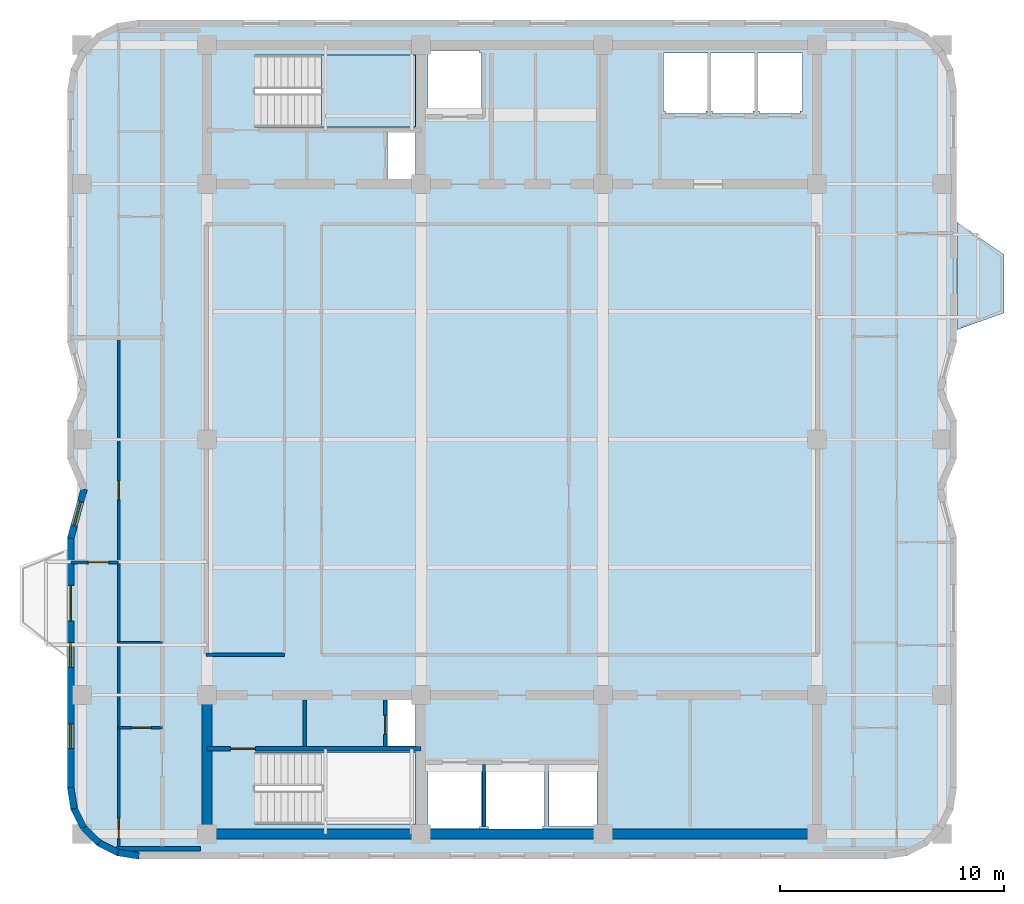
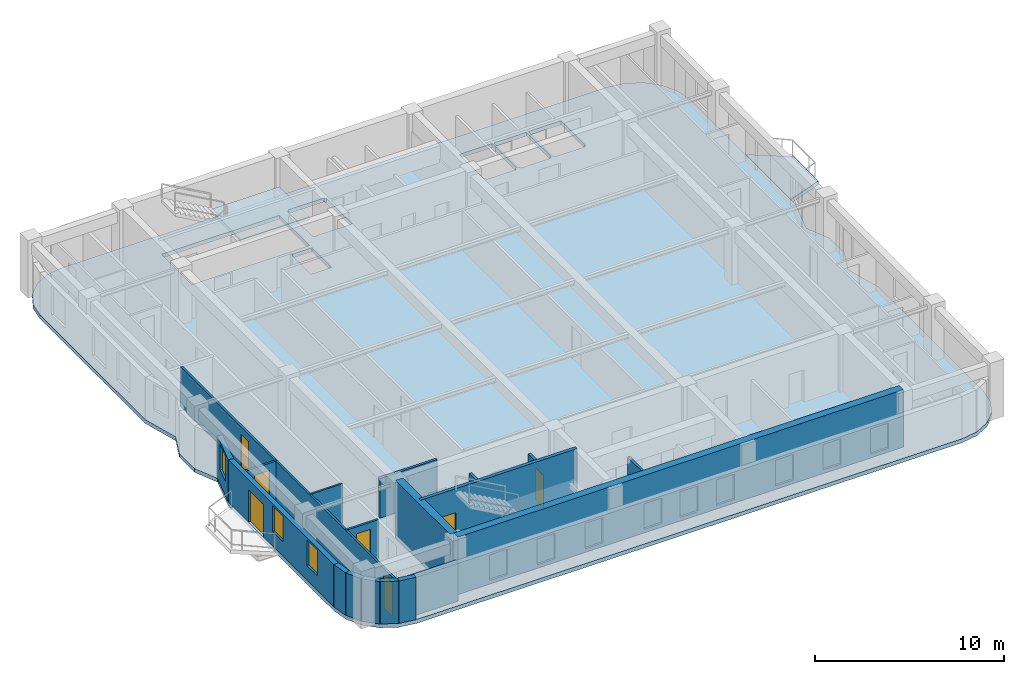
# One storey, part 2 of 8: 19 walls, 7 doors, 3 slabs, 3 windows, 10 openings, 1 element without a shape of its own.
"""IFC4 building model written with IfcOpenShell, lengths in metres."""

from ifc_helpers import new_model, si_unit, direction, frame, frame_2d, origin, place, context, subcontext, project, spatial, polyline, rectangle, outline, extrude, material, layer, layer_set, type_object, element, fill, aggregate, save


model = new_model("IFC4")

# Units and contexts
model_context = context("Model", 3, precision=1e-05, world=origin(), true_north=direction((0.0, 1.0)))
body_context = subcontext(model_context, "Body", "Model", "MODEL_VIEW")
ifc_project = project(units=[si_unit("LENGTHUNIT", "METRE"), si_unit("AREAUNIT", "SQUARE_METRE"), si_unit("VOLUMEUNIT", "CUBIC_METRE"), si_unit("PLANEANGLEUNIT", "RADIAN"), si_unit("MASSUNIT", "GRAM", prefix="KILO")], contexts=[model_context])

# Site, building, storey
site_placement = place(None, origin())
site = spatial("IfcSite", under=ifc_project, at=site_placement, CompositionType="ELEMENT")
building_placement = place(site_placement, origin())
building = spatial("IfcBuilding", under=site, at=building_placement, Name="Svetorya Sky Lyceum", CompositionType="ELEMENT")
storey_placement = place(building_placement, frame((0.0, 0.0, 251.699951171875)))
storey = spatial("IfcBuildingStorey", under=building, at=storey_placement, Name="L63", CompositionType="ELEMENT", Elevation=251.699951171875)

# Slab
ifc_material_1 = material(Name="Concrete C40/50", Category="concrete")
ifc_layer_1 = layer(ifc_material_1, 0.25)
ifc_layer_set_1 = layer_set([ifc_layer_1], Name="Concrete C40/50")
slab_type_1 = type_object("IfcSlabType", Name="SL-BAL-250", PredefinedType="FLOOR", material=ifc_layer_set_1)
slab_1_placement = place(storey_placement, frame((0.0, 0.0, -0.25)))
element("IfcSlab", 1, at=slab_1_placement, inside=storey, type_object=slab_type_1, Name="L63 Chamfered Loggia Balcony BAL-E1", PredefinedType="FLOOR", context=body_context, shape_type="SweptSolid", body=[
    extrude(outline(polyline([(59.050048828125, 33.10009765625), (61.14990234375, 33.85009765625), (61.14990234375, 36.449951171875), (59.050048828125, 37.89990234375), (59.050048828125, 33.10009765625)])), origin(), (0.0, 0.0, 1.0), 0.25),
])

# Stair, slab
stair_type = type_object("IfcStairType", Name="STR-ST-N", PredefinedType="HALF_TURN_STAIR", material=ifc_material_1)
stair_placement = place(storey_placement, origin())
stair = element("IfcStair", 2, at=stair_placement, inside=storey, type_object=stair_type, Name="L63 North Core Smoke-Free Exit Stair N3", PredefinedType="HALF_TURN_STAIR")
ifc_layer_2 = layer(ifc_material_1, 0.199951171875)
ifc_layer_set_2 = layer_set([ifc_layer_2], Name="Concrete C40/50")
slab_type_2 = type_object("IfcSlabType", Name="SL-STR-LAND-200", PredefinedType="LANDING", material=ifc_layer_set_2)
slab_2_placement = place(storey_placement, frame((0.0, 0.0, 1.650146484375)))
slab_2 = element("IfcSlab", 3, at=slab_2_placement, type_object=slab_type_2, Name="ST-N landing 1", PredefinedType="LANDING", context=body_context, shape_type="SweptSolid", body=[
    extrude(outline(polyline([(30.699951171875, 42.14990234375), (34.89990234375, 42.14990234375), (34.89990234375, 45.35009765625), (30.699951171875, 45.35009765625), (30.699951171875, 42.14990234375)])), origin(), (0.0, 0.0, 1.0), 0.199951171875),
])
aggregate(stair, [slab_2])

# Slab
ifc_layer_3 = layer(ifc_material_1, 0.25)
ifc_layer_set_3 = layer_set([ifc_layer_3], Name="Concrete C40/50")
slab_type_3 = type_object("IfcSlabType", Name="SL-TWR-250", PredefinedType="FLOOR", material=ifc_layer_set_3)
slab_3_placement = place(storey_placement, frame((0.0, 0.0, -0.25)))
element("IfcSlab", 4, at=slab_3_placement, inside=storey, type_object=slab_type_3, Name="L63 Structural Floor Slab", PredefinedType="FLOOR", context=body_context, shape_type="SweptSolid", body=[
    extrude(outline(polyline([(19.360107421875, 12.679931640625), (19.5166015625, 11.691162109375), (19.97119140625, 10.799072265625), (20.67919921875, 10.091064453125), (21.571044921875, 9.63671875), (22.56005859375, 9.47998046875), (55.840087890625, 9.47998046875), (56.828857421875, 9.63671875), (57.720947265625, 10.091064453125), (58.428955078125, 10.799072265625), (58.88330078125, 11.691162109375), (59.0400390625, 12.679931640625), (59.0400390625, 23.800048828125), (58.43994140625, 26.0), (59.0400390625, 27.39990234375), (59.0400390625, 29.0), (58.43994140625, 30.39990234375), (59.0400390625, 32.60009765625), (59.0400390625, 43.719970703125), (58.88330078125, 44.708984375), (58.428955078125, 45.600830078125), (57.720947265625, 46.308837890625), (56.828857421875, 46.763427734375), (55.840087890625, 46.919921875), (22.56005859375, 46.919921875), (21.571044921875, 46.763427734375), (20.67919921875, 46.308837890625), (19.97119140625, 45.600830078125), (19.5166015625, 44.708984375), (19.360107421875, 43.719970703125), (19.360107421875, 32.60009765625), (19.9599609375, 30.39990234375), (19.360107421875, 29.0), (19.360107421875, 27.39990234375), (19.9599609375, 26.0), (19.360107421875, 23.800048828125), (19.360107421875, 12.679931640625)]), holes=[polyline([(37.85009765625, 10.949951171875), (37.75, 10.949951171875), (37.75, 10.85009765625), (35.550048828125, 10.85009765625), (35.550048828125, 10.949951171875), (35.449951171875, 10.949951171875), (35.449951171875, 13.64990234375), (35.550048828125, 13.64990234375), (37.75, 13.64990234375), (37.85009765625, 13.64990234375), (37.85009765625, 10.949951171875)]), polyline([(38.14990234375, 10.800048828125), (38.14990234375, 10.949951171875), (38.050048828125, 10.949951171875), (38.050048828125, 13.64990234375), (38.14990234375, 13.64990234375), (38.14990234375, 13.699951171875), (40.550048828125, 13.699951171875), (40.550048828125, 13.64990234375), (40.64990234375, 13.64990234375), (40.64990234375, 10.949951171875), (40.550048828125, 10.949951171875), (40.550048828125, 10.800048828125), (38.14990234375, 10.800048828125)]), polyline([(27.719970703125, 11.050048828125), (27.719970703125, 14.25), (34.89990234375, 14.25), (34.89990234375, 11.050048828125), (27.719970703125, 11.050048828125)]), polyline([(33.64990234375, 14.52001953125), (33.64990234375, 16.580078125), (34.89990234375, 16.580078125), (34.89990234375, 14.52001953125), (33.64990234375, 14.52001953125)]), polyline([(33.64990234375, 39.820068359375), (33.64990234375, 41.89990234375), (34.89990234375, 41.89990234375), (34.89990234375, 39.820068359375), (33.64990234375, 39.820068359375)]), polyline([(27.719970703125, 42.14990234375), (27.719970703125, 45.35009765625), (34.89990234375, 45.35009765625), (34.89990234375, 42.14990234375), (27.719970703125, 42.14990234375)]), polyline([(37.75, 42.75), (35.550048828125, 42.75), (35.449951171875, 42.75), (35.449951171875, 45.449951171875), (35.550048828125, 45.449951171875), (35.550048828125, 45.550048828125), (37.75, 45.550048828125), (37.75, 45.449951171875), (37.85009765625, 45.449951171875), (37.85009765625, 42.75), (37.75, 42.75)]), polyline([(40.85009765625, 10.949951171875), (40.85009765625, 13.64990234375), (43.0, 13.64990234375), (43.0, 10.949951171875), (40.85009765625, 10.949951171875)]), polyline([(46.050048828125, 42.75), (46.050048828125, 42.85009765625), (45.949951171875, 42.85009765625), (45.949951171875, 45.449951171875), (46.050048828125, 45.449951171875), (47.85009765625, 45.449951171875), (47.949951171875, 45.449951171875), (47.949951171875, 42.85009765625), (47.85009765625, 42.85009765625), (47.85009765625, 42.75), (46.050048828125, 42.75)]), polyline([(50.050048828125, 42.85009765625), (49.949951171875, 42.85009765625), (49.949951171875, 42.75), (48.14990234375, 42.75), (48.14990234375, 42.85009765625), (48.050048828125, 42.85009765625), (48.050048828125, 45.449951171875), (48.14990234375, 45.449951171875), (49.949951171875, 45.449951171875), (50.050048828125, 45.449951171875), (50.050048828125, 42.85009765625)]), polyline([(52.14990234375, 42.85009765625), (52.050048828125, 42.85009765625), (52.050048828125, 42.75), (50.25, 42.75), (50.25, 42.85009765625), (50.14990234375, 42.85009765625), (50.14990234375, 45.449951171875), (50.25, 45.449951171875), (52.050048828125, 45.449951171875), (52.14990234375, 45.449951171875), (52.14990234375, 42.85009765625)])]), origin(), (0.0, 0.0, 1.0), 0.25),
])

# Walls
ifc_material_2 = material(Name="Concrete C50/60", Category="concrete")
ifc_layer_4 = layer(ifc_material_2, 0.449951171875)
ifc_layer_set_4 = layer_set([ifc_layer_4], Name="Concrete C50/60")
wall_type_1 = type_object("IfcWallType", Name="WL-CORE-450", PredefinedType="SHEAR", material=ifc_layer_set_4)
wall_1_placement = place(storey_placement, frame((52.800048828125, 10.60009765625, 0.0), z_axis=(0.0, 0.0, 1.0), x_axis=(-1.0, 0.0, 0.0)))
element("IfcWall", 5, at=wall_1_placement, inside=storey, type_object=wall_type_1, Name="L63 SC Outer Core Shear Wall", PredefinedType="SHEAR", context=body_context, shape_type="SweptSolid", body=[
    extrude(rectangle(XDim=27.199951171875, YDim=0.449951171875, at=frame_2d((13.60009765625, 0.0))), origin(), (0.0, 0.0, 1.0), 3.699951171875),
])
wall_2_placement = place(storey_placement, frame((25.60009765625, 10.824951171875, 0.0), z_axis=(0.0, 0.0, 1.0), x_axis=(0.0, 1.0, 0.0)))
element("IfcWall", 6, at=wall_2_placement, inside=storey, type_object=wall_type_1, Name="L63 SC West Core Shear Wall", PredefinedType="SHEAR", context=body_context, shape_type="SweptSolid", body=[
    extrude(rectangle(XDim=5.75, YDim=0.449951171875, at=frame_2d((2.875, 0.0))), origin(), (0.0, 0.0, 1.0), 3.699951171875),
])
ifc_material_3 = material(Name="Putilovo limestone rainscreen on autoclaved cellular masonry", Category="masonry")
ifc_layer_5 = layer(ifc_material_3, 0.300048828125)
ifc_layer_set_5 = layer_set([ifc_layer_5], Name="Putilovo limestone rainscreen on autoclaved cellular masonry")
wall_type_2 = type_object("IfcWallType", Name="WL-EXT-300", PredefinedType="SOLIDWALL", material=ifc_layer_set_5)
wall_3_placement = place(storey_placement, frame((19.510009765625, 12.679931640625, 0.0), z_axis=(0.0, 0.0, 1.0), x_axis=(0.156343617883, -0.987702725088, 0.0)))
element("IfcWall", 7, at=wall_3_placement, inside=storey, type_object=wall_type_2, Name="L63 Limestone Exterior Wall 1M", PredefinedType="SOLIDWALL", context=body_context, shape_type="SweptSolid", body=[
    extrude(rectangle(XDim=0.9541015625, YDim=0.300048828125, at=frame_2d((0.47705078125, 0.0))), origin(), (0.0, 0.0, 1.0), 2.72998046875),
])
for number, where, z_axis, x_axis, name in (
    (8, (19.6591796875, 11.737548828125, 0.0), (0.0, 0.0, 1.0), (0.454056065666, -0.890973113642, 0.0), "L63 Limestone Exterior Wall 2M"),
    (9, (20.092529296875, 10.88720703125, 0.0), (0.0, 0.0, 1.0), (0.707106781187, -0.707106781187, 0.0), "L63 Limestone Exterior Wall 3M"),
):
    element("IfcWall", number, at=place(storey_placement, frame(where, z_axis=z_axis, x_axis=x_axis)), inside=storey, type_object=wall_type_2, Name=name, PredefinedType="SOLIDWALL", context=body_context, shape_type="SweptSolid", body=[
        extrude(rectangle(XDim=0.954345703125, YDim=0.300048828125, at=frame_2d((0.47705078125, 0.0))), origin(), (0.0, 0.0, 1.0), 2.72998046875),
    ])
wall_4_placement = place(storey_placement, frame((20.767333984375, 10.21240234375, 0.0), z_axis=(0.0, 0.0, 1.0), x_axis=(0.891023873617, -0.45395644796, 0.0)))
element("IfcWall", 10, at=wall_4_placement, inside=storey, type_object=wall_type_2, Name="L63 Limestone Exterior Wall 4M", PredefinedType="SOLIDWALL", context=body_context, shape_type="SweptSolid", body=[
    extrude(rectangle(XDim=0.9541015625, YDim=0.300048828125, at=frame_2d((0.47705078125, 0.0))), origin(), (0.0, 0.0, 1.0), 2.72998046875),
])
wall_5_placement = place(storey_placement, frame((21.617431640625, 9.779296875, 0.0), z_axis=(0.0, 0.0, 1.0), x_axis=(0.987669453596, -0.156553666304, 0.0)))
element("IfcWall", 11, at=wall_5_placement, inside=storey, type_object=wall_type_2, Name="L63 Limestone Exterior Wall 5M", PredefinedType="SOLIDWALL", context=body_context, shape_type="SweptSolid", body=[
    extrude(rectangle(XDim=0.954345703125, YDim=0.300048828125, at=frame_2d((0.47705078125, 0.0))), origin(), (0.0, 0.0, 1.0), 2.72998046875),
])

# Wall, opening, window
wall_6_placement = place(storey_placement, frame((20.110107421875, 26.0, 0.0), z_axis=(0.0, 0.0, 1.0), x_axis=(-0.263162701705, -0.964751466665, 0.0)))
wall_6 = element("IfcWall", 12, at=wall_6_placement, inside=storey, type_object=wall_type_2, Name="L63 Limestone Exterior Wall 35M", PredefinedType="SOLIDWALL", context=body_context, shape_type="SweptSolid", body=[
    extrude(rectangle(XDim=2.2802734375, YDim=0.300048828125, at=frame_2d((1.14013671875, 0.0))), origin(), (0.0, 0.0, 1.0), 2.72998046875),
])
opening_1_placement = place(wall_6_placement, frame((0.590087890625, 0.0, 0.919921875)))
opening_1 = element("IfcOpeningElement", 13, at=opening_1_placement, cuts=wall_6, Name="Opening W-R3", PredefinedType="OPENING", context=body_context, shape_type="SweptSolid", body=[
    extrude(rectangle(XDim=1.10009765625, YDim=1.64990234375, at=frame_2d((0.550048828125, 0.824951171875))), frame((0.0, 0.159912109375, 0.0), z_axis=(0.0, -1.0, 0.0), x_axis=(1.0, 0.0, 0.0)), (0.0, 0.0, 1.0), 0.320068359375),
])
ifc_material_4 = material(Name="Thermally broken aluminium frame with triple low-E glazing", Category="aluminium")
window_type = type_object("IfcWindowType", Name="WN-RES-110", PartitioningType="SINGLE_PANEL", PredefinedType="WINDOW", material=ifc_material_4)
window_1_placement = place(opening_1_placement, origin())
window_1 = element("IfcWindow", 14, at=window_1_placement, inside=storey, type_object=window_type, Name="L63 Facade Window W-R3.35M.1", OverallHeight=1.64990234375, OverallWidth=1.10009765625, PartitioningType="SINGLE_PANEL", PredefinedType="WINDOW", context=body_context, shape_type="SweptSolid", body=[
    extrude(rectangle(XDim=1.10009765625, YDim=1.64990234375, at=frame_2d((0.550048828125, 0.824951171875))), frame((0.0, 0.030029296875, 0.0), z_axis=(0.0, -1.0, 0.0), x_axis=(1.0, 0.0, 0.0)), (0.0, 0.0, 1.0), 0.06005859375),
])
fill(opening_1, window_1)

# Wall, openings, door, windows
wall_7_placement = place(storey_placement, frame((19.510009765625, 23.800048828125, 0.0), z_axis=(0.0, 0.0, 1.0), x_axis=(0.0, -1.0, 0.0)))
wall_7 = element("IfcWall", 15, at=wall_7_placement, inside=storey, type_object=wall_type_2, Name="L63 Limestone Exterior Wall 36M", PredefinedType="SOLIDWALL", context=body_context, shape_type="SweptSolid", body=[
    extrude(rectangle(XDim=11.1201171875, YDim=0.300048828125, at=frame_2d((5.56005859375, 0.0))), origin(), (0.0, 0.0, 1.0), 2.72998046875),
])
opening_2_placement = place(wall_7_placement, frame((2.10009765625, 0.0, 0.0)))
opening_2 = element("IfcOpeningElement", 16, at=opening_2_placement, cuts=wall_7, Name="Opening D-BL1", PredefinedType="OPENING", context=body_context, shape_type="SweptSolid", body=[
    extrude(rectangle(XDim=1.60009765625, YDim=2.10009765625, at=frame_2d((0.800048828125, 1.050048828125))), frame((0.0, 0.159912109375, 0.0), z_axis=(0.0, -1.0, 0.0), x_axis=(1.0, 0.0, 0.0)), (0.0, 0.0, 1.0), 0.320068359375),
])
opening_3_placement = place(wall_7_placement, frame((4.659912109375, 0.0, 0.949951171875)))
opening_3 = element("IfcOpeningElement", 17, at=opening_3_placement, cuts=wall_7, Name="Opening W-R3", PredefinedType="OPENING", context=body_context, shape_type="SweptSolid", body=[
    extrude(rectangle(XDim=1.10009765625, YDim=1.64990234375, at=frame_2d((0.550048828125, 0.824951171875))), frame((0.0, 0.159912109375, 0.0), z_axis=(0.0, -1.0, 0.0), x_axis=(1.0, 0.0, 0.0)), (0.0, 0.0, 1.0), 0.320068359375),
])
opening_4_placement = place(wall_7_placement, frame((8.283203125, 0.0, 0.949951171875)))
opening_4 = element("IfcOpeningElement", 18, at=opening_4_placement, cuts=wall_7, Name="Opening W-R3", PredefinedType="OPENING", context=body_context, shape_type="SweptSolid", body=[
    extrude(rectangle(XDim=1.10009765625, YDim=1.64990234375, at=frame_2d((0.550048828125, 0.824951171875))), frame((0.0, 0.159912109375, 0.0), z_axis=(0.0, -1.0, 0.0), x_axis=(1.0, 0.0, 0.0)), (0.0, 0.0, 1.0), 0.320068359375),
])
ifc_material_5 = material(Name="Insulated glazed aluminium balcony door", Category="aluminium")
door_type_1 = type_object("IfcDoorType", Name="DR-BAL-1600", OperationType="DOUBLE_DOOR_SINGLE_SWING", PredefinedType="DOOR", material=ifc_material_5)
door_1_placement = place(opening_2_placement, origin())
door_1 = element("IfcDoor", 19, at=door_1_placement, inside=storey, type_object=door_type_1, Name="L63 Balcony BAL-W1 Door", OperationType="DOUBLE_DOOR_SINGLE_SWING", OverallHeight=2.10009765625, OverallWidth=1.60009765625, PredefinedType="DOOR", context=body_context, shape_type="SweptSolid", body=[
    extrude(rectangle(XDim=1.60009765625, YDim=2.10009765625, at=frame_2d((0.800048828125, 1.050048828125))), frame((0.0, 0.02490234375, 0.0), z_axis=(0.0, -1.0, 0.0), x_axis=(1.0, 0.0, 0.0)), (0.0, 0.0, 1.0), 0.050048828125),
])
fill(opening_2, door_1)
window_2_placement = place(opening_3_placement, origin())
window_2 = element("IfcWindow", 20, at=window_2_placement, inside=storey, type_object=window_type, Name="L63 Facade Window W-R3.36M.1", OverallHeight=1.64990234375, OverallWidth=1.10009765625, PartitioningType="SINGLE_PANEL", PredefinedType="WINDOW", context=body_context, shape_type="SweptSolid", body=[
    extrude(rectangle(XDim=1.10009765625, YDim=1.64990234375, at=frame_2d((0.550048828125, 0.824951171875))), frame((0.0, 0.030029296875, 0.0), z_axis=(0.0, -1.0, 0.0), x_axis=(1.0, 0.0, 0.0)), (0.0, 0.0, 1.0), 0.06005859375),
])
fill(opening_3, window_2)
window_3_placement = place(opening_4_placement, origin())
window_3 = element("IfcWindow", 21, at=window_3_placement, inside=storey, type_object=window_type, Name="L63 Facade Window W-R3.36M.2", OverallHeight=1.64990234375, OverallWidth=1.10009765625, PartitioningType="SINGLE_PANEL", PredefinedType="WINDOW", context=body_context, shape_type="SweptSolid", body=[
    extrude(rectangle(XDim=1.10009765625, YDim=1.64990234375, at=frame_2d((0.550048828125, 0.824951171875))), frame((0.0, 0.030029296875, 0.0), z_axis=(0.0, -1.0, 0.0), x_axis=(1.0, 0.0, 0.0)), (0.0, 0.0, 1.0), 0.06005859375),
])
fill(opening_4, window_3)

# Wall
ifc_material_6 = material(Name="Galvanized stud partition with moisture-resistant board", Category="gypsum")
ifc_layer_6 = layer(ifc_material_6, 0.10009765625)
ifc_layer_set_6 = layer_set([ifc_layer_6], Name="Galvanized stud partition with moisture-resistant board")
wall_type_3 = type_object("IfcWallType", Name="WL-PART-100", PredefinedType="PARTITIONING", material=ifc_layer_set_6)
wall_8_placement = place(storey_placement, frame((21.64990234375, 19.14990234375, 0.0), z_axis=(0.0, 0.0, 1.0), x_axis=(1.0, 0.0, 0.0)))
element("IfcWall", 22, at=wall_8_placement, inside=storey, type_object=wall_type_3, Name="L63 Interior Partition W1-WH2", PredefinedType="PARTITIONING", context=body_context, shape_type="SweptSolid", body=[
    extrude(rectangle(XDim=1.9501953125, YDim=0.10009765625, at=frame_2d((0.97509765625, 0.0))), origin(), (0.0, 0.0, 1.0), 2.56005859375),
])

# Wall, opening, door
ifc_material_7 = material(Name="Twin-stud galvanized framing with double fireboard", Category="gypsum")
ifc_layer_7 = layer(ifc_material_7, 0.1201171875)
ifc_layer_set_7 = layer_set([ifc_layer_7], Name="Twin-stud galvanized framing with double fireboard")
wall_type_4 = type_object("IfcWallType", Name="WL-PART-120", PredefinedType="PARTITIONING", material=ifc_layer_set_7)
wall_9_placement = place(storey_placement, frame((21.64990234375, 15.35009765625, 0.0), z_axis=(0.0, 0.0, 1.0), x_axis=(1.0, 0.0, 0.0)))
wall_9 = element("IfcWall", 23, at=wall_9_placement, inside=storey, type_object=wall_type_4, Name="L63 Interior Partition W1-WH1", PredefinedType="PARTITIONING", context=body_context, shape_type="SweptSolid", body=[
    extrude(rectangle(XDim=1.9501953125, YDim=0.1201171875, at=frame_2d((0.97509765625, 0.0))), origin(), (0.0, 0.0, 1.0), 2.56005859375),
])
opening_5_placement = place(wall_9_placement, frame((0.60009765625, 0.0, 0.0)))
opening_5 = element("IfcOpeningElement", 24, at=opening_5_placement, cuts=wall_9, Name="Opening D-BT1", PredefinedType="OPENING", context=body_context, shape_type="SweptSolid", body=[
    extrude(rectangle(XDim=0.85009765625, YDim=2.10009765625, at=frame_2d((0.425048828125, 1.050048828125))), frame((0.0, 0.070068359375, 0.0), z_axis=(0.0, -1.0, 0.0), x_axis=(1.0, 0.0, 0.0)), (0.0, 0.0, 1.0), 0.14013671875),
])
ifc_material_8 = material(Name="Moisture-resistant laminate bathroom door")
door_type_2 = type_object("IfcDoorType", Name="DR-WET-850", OperationType="SINGLE_SWING_LEFT", PredefinedType="DOOR", material=ifc_material_8)
door_2_placement = place(opening_5_placement, origin())
door_2 = element("IfcDoor", 25, at=door_2_placement, inside=storey, type_object=door_type_2, Name="Apartment W1 Bathroom Door", OperationType="SINGLE_SWING_LEFT", OverallHeight=2.10009765625, OverallWidth=0.85009765625, PredefinedType="DOOR", context=body_context, shape_type="SweptSolid", body=[
    extrude(rectangle(XDim=0.85009765625, YDim=2.10009765625, at=frame_2d((0.425048828125, 1.050048828125))), frame((0.0, 0.02490234375, 0.0), z_axis=(0.0, -1.0, 0.0), x_axis=(1.0, 0.0, 0.0)), (0.0, 0.0, 1.0), 0.050048828125),
])
fill(opening_5, door_2)

wall_10_placement = place(storey_placement, frame((19.530029296875, 22.719970703125, 0.0), z_axis=(0.0, 0.0, 1.0), x_axis=(1.0, 0.0, 0.0)))
wall_10 = element("IfcWall", 26, at=wall_10_placement, inside=storey, type_object=wall_type_4, Name="L63 Interior Partition W1-WL1", PredefinedType="PARTITIONING", context=body_context, shape_type="SweptSolid", body=[
    extrude(rectangle(XDim=2.119873046875, YDim=0.1201171875, at=frame_2d((1.06005859375, 0.0))), origin(), (0.0, 0.0, 1.0), 2.56005859375),
])
opening_6_placement = place(wall_10_placement, frame((0.77001953125, 0.0, 0.0)))
opening_6 = element("IfcOpeningElement", 27, at=opening_6_placement, cuts=wall_10, Name="Opening D-RM1", PredefinedType="OPENING", context=body_context, shape_type="SweptSolid", body=[
    extrude(rectangle(XDim=0.89990234375, YDim=2.10009765625, at=frame_2d((0.449951171875, 1.050048828125))), frame((0.0, 0.070068359375, 0.0), z_axis=(0.0, -1.0, 0.0), x_axis=(1.0, 0.0, 0.0)), (0.0, 0.0, 1.0), 0.14013671875),
])
ifc_material_9 = material(Name="Lacquered birch veneer internal door")
door_type_3 = type_object("IfcDoorType", Name="DR-INT-900", OperationType="SINGLE_SWING_LEFT", PredefinedType="DOOR", material=ifc_material_9)
door_3_placement = place(opening_6_placement, origin())
door_3 = element("IfcDoor", 28, at=door_3_placement, inside=storey, type_object=door_type_3, Name="Apartment W1 Bedroom 1 Door", OperationType="SINGLE_SWING_LEFT", OverallHeight=2.10009765625, OverallWidth=0.89990234375, PredefinedType="DOOR", context=body_context, shape_type="SweptSolid", body=[
    extrude(rectangle(XDim=0.89990234375, YDim=2.10009765625, at=frame_2d((0.449951171875, 1.050048828125))), frame((0.0, 0.02490234375, 0.0), z_axis=(0.0, -1.0, 0.0), x_axis=(1.0, 0.0, 0.0)), (0.0, 0.0, 1.0), 0.050048828125),
])
fill(opening_6, door_3)

# Wall, openings, doors
wall_11_placement = place(storey_placement, frame((21.64990234375, 9.989990234375, 0.0), z_axis=(0.0, 0.0, 1.0), x_axis=(0.0, 1.0, 0.0)))
wall_11 = element("IfcWall", 29, at=wall_11_placement, inside=storey, type_object=wall_type_4, Name="L63 Interior Partition W1-WV", PredefinedType="PARTITIONING", context=body_context, shape_type="SweptSolid", body=[
    extrude(rectangle(XDim=22.719970703125, YDim=0.1201171875, at=frame_2d((11.35986328125, 0.0))), origin(), (0.0, 0.0, 1.0), 2.56005859375),
])
opening_7_placement = place(wall_11_placement, frame((0.409912109375, 0.0, 0.0)))
opening_7 = element("IfcOpeningElement", 30, at=opening_7_placement, cuts=wall_11, Name="Opening D-RM1", PredefinedType="OPENING", context=body_context, shape_type="SweptSolid", body=[
    extrude(rectangle(XDim=0.89990234375, YDim=2.10009765625, at=frame_2d((0.449951171875, 1.050048828125))), frame((0.0, 0.070068359375, 0.0), z_axis=(0.0, -1.0, 0.0), x_axis=(1.0, 0.0, 0.0)), (0.0, 0.0, 1.0), 0.14013671875),
])
opening_8_placement = place(wall_11_placement, frame((15.534912109375, 0.0, 0.0)))
opening_8 = element("IfcOpeningElement", 31, at=opening_8_placement, cuts=wall_11, Name="Opening D-BT2", PredefinedType="OPENING", context=body_context, shape_type="SweptSolid", body=[
    extrude(rectangle(XDim=0.820068359375, YDim=2.080078125, at=frame_2d((0.41015625, 1.0400390625))), frame((0.0, 0.070068359375, 0.0), z_axis=(0.0, -1.0, 0.0), x_axis=(1.0, 0.0, 0.0)), (0.0, 0.0, 1.0), 0.14013671875),
])
door_4_placement = place(opening_7_placement, origin())
door_4 = element("IfcDoor", 32, at=door_4_placement, inside=storey, type_object=door_type_3, Name="Apartment W1 Living Door", OperationType="SINGLE_SWING_RIGHT", OverallHeight=2.10009765625, OverallWidth=0.89990234375, PredefinedType="DOOR", context=body_context, shape_type="SweptSolid", body=[
    extrude(rectangle(XDim=0.89990234375, YDim=2.10009765625, at=frame_2d((0.449951171875, 1.050048828125))), frame((0.0, 0.02490234375, 0.0), z_axis=(0.0, -1.0, 0.0), x_axis=(1.0, 0.0, 0.0)), (0.0, 0.0, 1.0), 0.050048828125),
])
fill(opening_7, door_4)
ifc_material_10 = material(Name="Compact moisture-resistant laminate closet door")
door_type_4 = type_object("IfcDoorType", Name="DR-WET-820", OperationType="SINGLE_SWING_LEFT", PredefinedType="DOOR", material=ifc_material_10)
door_5_placement = place(opening_8_placement, origin())
door_5 = element("IfcDoor", 33, at=door_5_placement, inside=storey, type_object=door_type_4, Name="Apartment W1 Study Door", OperationType="SINGLE_SWING_LEFT", OverallHeight=2.080078125, OverallWidth=0.820068359375, PredefinedType="DOOR", context=body_context, shape_type="SweptSolid", body=[
    extrude(rectangle(XDim=0.820068359375, YDim=2.080078125, at=frame_2d((0.41015625, 1.0400390625))), frame((0.0, 0.02490234375, 0.0), z_axis=(0.0, -1.0, 0.0), x_axis=(1.0, 0.0, 0.0)), (0.0, 0.0, 1.0), 0.050048828125),
])
fill(opening_8, door_5)

# Wall
ifc_material_11 = material(Name="Autoclaved cellular masonry blockwork with acoustic render", Category="masonry")
ifc_layer_8 = layer(ifc_material_11, 0.14990234375)
ifc_layer_set_8 = layer_set([ifc_layer_8], Name="Autoclaved cellular masonry blockwork with acoustic render")
wall_type_5 = type_object("IfcWallType", Name="WL-PART-150", PredefinedType="PARTITIONING", material=ifc_layer_set_8)
wall_12_placement = place(storey_placement, frame((29.949951171875, 14.5, 0.0), z_axis=(0.0, 0.0, 1.0), x_axis=(0.0, 1.0, 0.0)))
element("IfcWall", 34, at=wall_12_placement, inside=storey, type_object=wall_type_5, Name="L63 Interior Partition SC-SWD1", PredefinedType="PARTITIONING", context=body_context, shape_type="SweptSolid", body=[
    extrude(rectangle(XDim=2.080078125, YDim=0.14990234375, at=frame_2d((1.0400390625, 0.0))), origin(), (0.0, 0.0, 1.0), 2.56005859375),
])

# Wall, opening, door
wall_13_placement = place(storey_placement, frame((33.550048828125, 14.5, 0.0), z_axis=(0.0, 0.0, 1.0), x_axis=(0.0, 1.0, 0.0)))
wall_13 = element("IfcWall", 35, at=wall_13_placement, inside=storey, type_object=wall_type_5, Name="L63 Interior Partition SC-SWD2", PredefinedType="PARTITIONING", context=body_context, shape_type="SweptSolid", body=[
    extrude(rectangle(XDim=2.080078125, YDim=0.14990234375, at=frame_2d((1.0400390625, 0.0))), origin(), (0.0, 0.0, 1.0), 2.56005859375),
])
opening_9_placement = place(wall_13_placement, frame((0.550048828125, 0.0, 0.0)))
opening_9 = element("IfcOpeningElement", 36, at=opening_9_placement, cuts=wall_13, Name="Opening D-SH1", PredefinedType="OPENING", context=body_context, shape_type="SweptSolid", body=[
    extrude(rectangle(XDim=0.85009765625, YDim=2.050048828125, at=frame_2d((0.425048828125, 1.02490234375))), frame((0.0, 0.0849609375, 0.0), z_axis=(0.0, -1.0, 0.0), x_axis=(1.0, 0.0, 0.0)), (0.0, 0.0, 1.0), 0.169921875),
])
ifc_material_12 = material(Name="Insulated galvanized riser inspection fire door")
door_type_5 = type_object("IfcDoorType", Name="DR-SHFT-850", OperationType="SINGLE_SWING_LEFT", PredefinedType="TRAPDOOR", material=ifc_material_12)
door_6_placement = place(opening_9_placement, origin())
door_6 = element("IfcDoor", 37, at=door_6_placement, inside=storey, type_object=door_type_5, Name="L63 South Riser Access Door", OperationType="SINGLE_SWING_RIGHT", OverallHeight=2.050048828125, OverallWidth=0.85009765625, PredefinedType="TRAPDOOR", context=body_context, shape_type="SweptSolid", body=[
    extrude(rectangle(XDim=0.85009765625, YDim=2.050048828125, at=frame_2d((0.425048828125, 1.02490234375))), frame((0.0, 0.02490234375, 0.0), z_axis=(0.0, -1.0, 0.0), x_axis=(1.0, 0.0, 0.0)), (0.0, 0.0, 1.0), 0.050048828125),
])
fill(opening_9, door_6)

# Walls
wall_14_placement = place(storey_placement, frame((37.949951171875, 10.949951171875, 0.0), z_axis=(0.0, 0.0, 1.0), x_axis=(0.0, 1.0, 0.0)))
element("IfcWall", 38, at=wall_14_placement, inside=storey, type_object=wall_type_5, Name="L63 Interior Partition SC-SHD1", PredefinedType="PARTITIONING", context=body_context, shape_type="SweptSolid", body=[
    extrude(rectangle(XDim=2.75, YDim=0.14990234375, at=frame_2d((1.375, 0.0))), origin(), (0.0, 0.0, 1.0), 2.56005859375),
])
wall_15_placement = place(storey_placement, frame((25.550048828125, 18.60009765625, 0.0), z_axis=(0.0, 0.0, 1.0), x_axis=(1.0, 0.0, 0.0)))
element("IfcWall", 39, at=wall_15_placement, inside=storey, type_object=wall_type_5, Name="L63 Interior Partition OFF-CS-W", PredefinedType="PARTITIONING", context=body_context, shape_type="SweptSolid", body=[
    extrude(rectangle(XDim=3.5, YDim=0.14990234375, at=frame_2d((1.75, 0.0))), origin(), (0.0, 0.0, 1.0), 2.56005859375),
])
ifc_material_13 = material(Name="Autoclaved cellular masonry blockwork with gypsum plaster", Category="masonry")
ifc_layer_9 = layer(ifc_material_13, 0.199951171875)
ifc_layer_set_9 = layer_set([ifc_layer_9], Name="Autoclaved cellular masonry blockwork with gypsum plaster")
wall_type_6 = type_object("IfcWallType", Name="WL-PART-200", PredefinedType="PARTITIONING", material=ifc_layer_set_9)
wall_16_placement = place(storey_placement, frame((21.5458984375, 9.949951171875, 0.0), z_axis=(0.0, 0.0, 1.0), x_axis=(1.0, 0.0, 0.0)))
element("IfcWall", 40, at=wall_16_placement, inside=storey, type_object=wall_type_6, Name="L63 Interior Partition W-CAP-S", PredefinedType="PARTITIONING", context=body_context, shape_type="SweptSolid", body=[
    extrude(rectangle(XDim=3.754150390625, YDim=0.199951171875, at=frame_2d((1.876953125, 0.0))), origin(), (0.0, 0.0, 1.0), 2.56005859375),
])

# Wall, opening, door
ifc_layer_10 = layer(ifc_material_2, 0.199951171875)
ifc_layer_set_10 = layer_set([ifc_layer_10], Name="Concrete C50/60")
wall_type_7 = type_object("IfcWallType", Name="WL-SHW-200", PredefinedType="SHEAR", material=ifc_layer_set_10)
wall_17_placement = place(storey_placement, frame((25.60009765625, 14.39990234375, 0.0), z_axis=(0.0, 0.0, 1.0), x_axis=(1.0, 0.0, 0.0)))
wall_17 = element("IfcWall", 41, at=wall_17_placement, inside=storey, type_object=wall_type_7, Name="L63 Structural Stair Shaft Wall SC-STW", PredefinedType="SHEAR", context=body_context, shape_type="SweptSolid", body=[
    extrude(rectangle(XDim=9.5498046875, YDim=0.199951171875, at=frame_2d((4.77490234375, 0.0))), origin(), (0.0, 0.0, 1.0), 3.699951171875),
])
opening_10_placement = place(wall_17_placement, frame((1.050048828125, 0.0, 0.0)))
opening_10 = element("IfcOpeningElement", 42, at=opening_10_placement, cuts=wall_17, Name="Opening D-ST1", PredefinedType="OPENING", context=body_context, shape_type="SweptSolid", body=[
    extrude(rectangle(XDim=1.10009765625, YDim=2.14990234375, at=frame_2d((0.550048828125, 1.074951171875))), frame((0.0, 0.10986328125, 0.0), z_axis=(0.0, -1.0, 0.0), x_axis=(1.0, 0.0, 0.0)), (0.0, 0.0, 1.0), 0.219970703125),
])
ifc_material_14 = material(Name="Powder-coated insulated galvanized stair fire door")
door_type_6 = type_object("IfcDoorType", Name="DR-FIRE-1100", OperationType="SINGLE_SWING_LEFT", PredefinedType="DOOR", material=ifc_material_14)
door_7_placement = place(opening_10_placement, origin())
door_7 = element("IfcDoor", 43, at=door_7_placement, inside=storey, type_object=door_type_6, Name="L63 Stair ST-S Vestibule Fire Door", OperationType="SINGLE_SWING_LEFT", OverallHeight=2.14990234375, OverallWidth=1.10009765625, PredefinedType="DOOR", context=body_context, shape_type="SweptSolid", body=[
    extrude(rectangle(XDim=1.10009765625, YDim=2.14990234375, at=frame_2d((0.550048828125, 1.074951171875))), frame((0.0, 0.02490234375, 0.0), z_axis=(0.0, -1.0, 0.0), x_axis=(1.0, 0.0, 0.0)), (0.0, 0.0, 1.0), 0.050048828125),
])
fill(opening_10, door_7)

save(model, "model.ifc")
